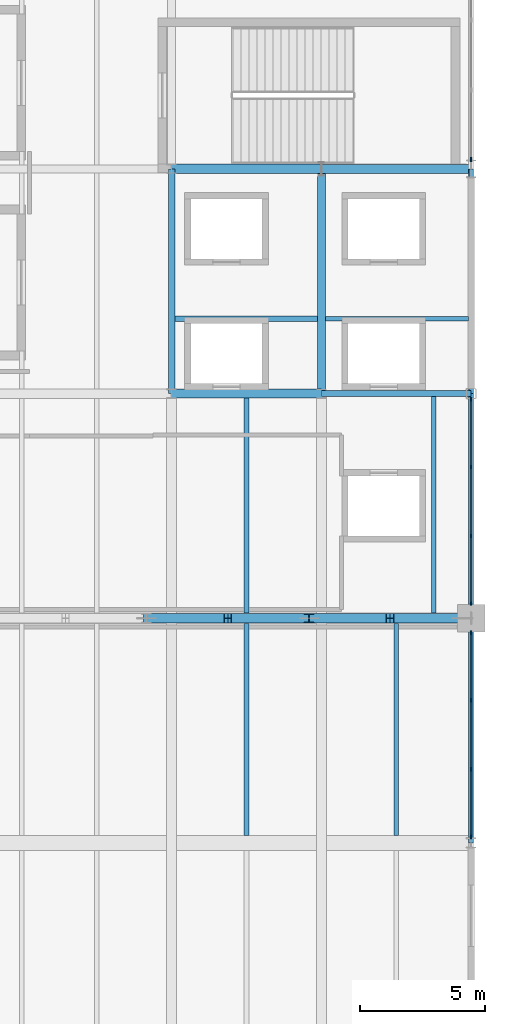
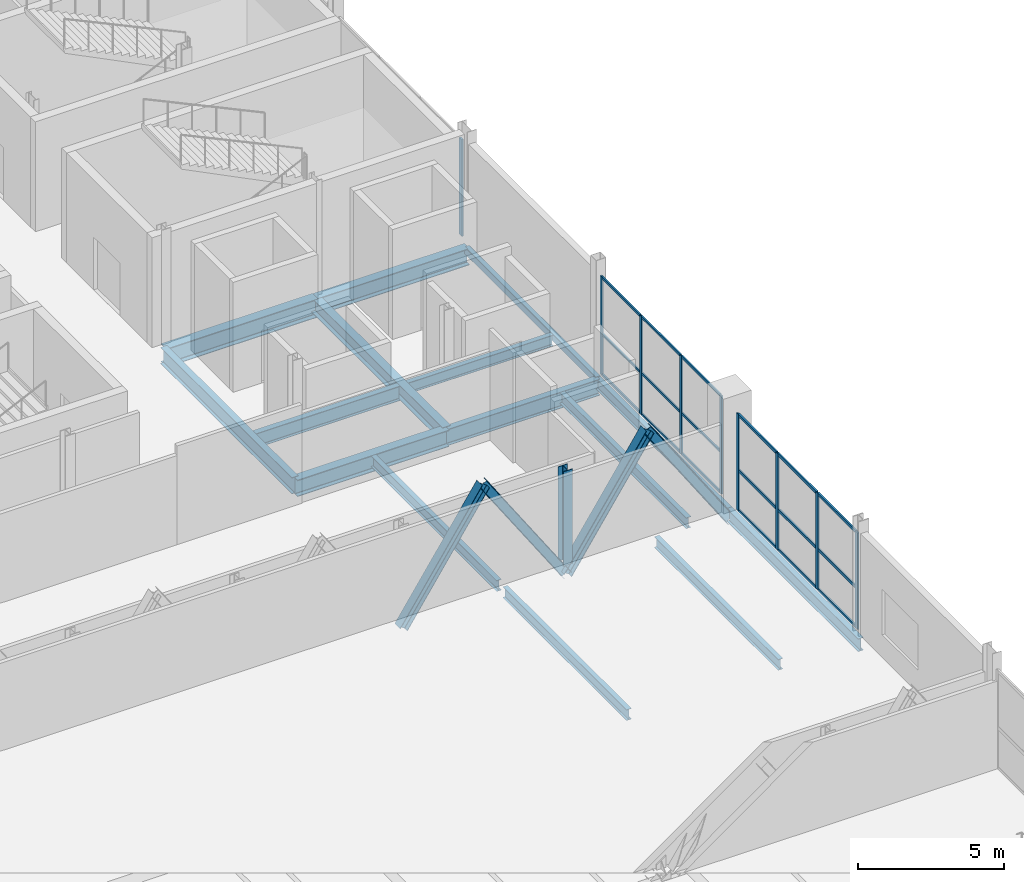
# One storey, part 141 of 224: 32 members, 15 beams, 3 elements without a shape of their own.
"""IFC4 building model written with IfcOpenShell, lengths in metres."""

from ifc_helpers import new_model, si_unit, direction, frame, origin, origin_2d, place, context, subcontext, project, spatial, rectangle, hollow_rectangle, i_section, extrude, material, layer, layer_set, material_profile, profile_set, type_object, element, aggregate, save


model = new_model("IFC4")

# Units and contexts
model_context = context("Model", 3, precision=1e-05, world=origin(), true_north=direction((0.0, 1.0)))
body_context = subcontext(model_context, "Body", "Model", "MODEL_VIEW")
ifc_project = project(units=[si_unit("LENGTHUNIT", "METRE"), si_unit("AREAUNIT", "SQUARE_METRE"), si_unit("VOLUMEUNIT", "CUBIC_METRE"), si_unit("PLANEANGLEUNIT", "RADIAN"), si_unit("MASSUNIT", "GRAM", prefix="KILO")], contexts=[model_context])

# Site, building, storey
site_placement = place(None, origin())
site = spatial("IfcSite", under=ifc_project, at=site_placement, CompositionType="ELEMENT")
building_placement = place(site_placement, origin())
building = spatial("IfcBuilding", under=site, at=building_placement, Name="Qamarlyn Nura Convention Centre", CompositionType="ELEMENT")
storey_placement = place(building_placement, frame((0.0, 0.0, 10.800048828125)))
storey = spatial("IfcBuildingStorey", under=building, at=storey_placement, Name="L02", CompositionType="ELEMENT", Elevation=10.800048828125)

# Beams
ifc_material_1 = material(Name="Steel ASTM A992", Category="steel")
ifc_material_profile_1 = material_profile(ifc_material_1, i_section(OverallWidth=0.323974609375, OverallDepth=0.611083984375, WebThickness=0.0126953125, FlangeThickness=0.01904296875, FilletRadius=0.01611328125, at=origin_2d()), Name="W610X155")
ifc_profile_set_1 = profile_set([ifc_material_profile_1], Name="Steel ASTM A992")
beam_type_1 = type_object("IfcBeamType", Name="BM-GIRD-610", PredefinedType="BEAM", material=ifc_profile_set_1)
beam_1_placement = place(storey_placement, frame((186.0, 54.0, -0.525634765625), z_axis=(0.0, 1.0, 0.0), x_axis=(-1.0, 0.0, 0.0)))
element("IfcBeam", 1, at=beam_1_placement, inside=storey, type_object=beam_type_1, Name="L02 girder 17 G-H", PredefinedType="BEAM", context=body_context, shape_type="SweptSolid", body=[
    extrude(i_section(OverallWidth=0.323974609375, OverallDepth=0.611083984375, WebThickness=0.0126953125, FlangeThickness=0.01904296875, FilletRadius=0.01611328125, at=origin_2d()), origin(), (0.0, 0.0, 1.0), 9.0),
])
ifc_material_profile_2 = material_profile(ifc_material_1, i_section(OverallWidth=0.35498046875, OverallDepth=0.695068359375, WebThickness=0.015380859375, FlangeThickness=0.02490234375, FilletRadius=0.01806640625, at=origin_2d()), Name="W690X217")
ifc_profile_set_2 = profile_set([ifc_material_profile_2], Name="Steel ASTM A992")
beam_type_2 = type_object("IfcBeamType", Name="BM-GIRD-690A", PredefinedType="BEAM", material=ifc_profile_set_2)
for number, where, z_axis, x_axis, name in (
    (2, (180.0, 54.0, -0.607666015625), (1.0, 0.0, 0.0), (0.0, 1.0, 0.0), "L02 girder G 16-17"),
    (3, (186.0, 63.0, -0.567626953125), (1.0, 0.0, 0.0), (0.0, 1.0, 0.0), "L02 girder H 17-18"),
):
    element("IfcBeam", number, at=place(storey_placement, frame(where, z_axis=z_axis, x_axis=x_axis)), inside=storey, type_object=beam_type_2, Name=name, PredefinedType="BEAM", context=body_context, shape_type="SweptSolid", body=[
        extrude(i_section(OverallWidth=0.35498046875, OverallDepth=0.695068359375, WebThickness=0.015380859375, FlangeThickness=0.02490234375, FilletRadius=0.01806640625, at=origin_2d()), origin(), (0.0, 0.0, 1.0), 6.0),
    ])
ifc_material_profile_3 = material_profile(ifc_material_1, i_section(OverallWidth=0.25390625, OverallDepth=0.68408203125, WebThickness=0.012451171875, FlangeThickness=0.01904296875, FilletRadius=0.01806640625, at=origin_2d()), Name="W690X140")
ifc_profile_set_3 = profile_set([ifc_material_profile_3], Name="Steel ASTM A992")
beam_type_3 = type_object("IfcBeamType", Name="BM-GIRD-690B", PredefinedType="BEAM", material=ifc_profile_set_3)
beam_2_placement = place(storey_placement, frame((186.0, 54.0, -0.60205078125), z_axis=(1.0, 0.0, 0.0), x_axis=(0.0, 1.0, 0.0)))
element("IfcBeam", 4, at=beam_2_placement, inside=storey, type_object=beam_type_3, Name="L02 girder G 17-18", PredefinedType="BEAM", context=body_context, shape_type="SweptSolid", body=[
    extrude(i_section(OverallWidth=0.25390625, OverallDepth=0.68408203125, WebThickness=0.012451171875, FlangeThickness=0.01904296875, FilletRadius=0.01806640625, at=origin_2d()), origin(), (0.0, 0.0, 1.0), 6.0),
])
beam_3_placement = place(storey_placement, frame((180.0, 54.0, -0.56201171875), z_axis=(0.0, 1.0, 0.0), x_axis=(-1.0, 0.0, 0.0)))
element("IfcBeam", 5, at=beam_3_placement, inside=storey, type_object=beam_type_3, Name="L02 girder 16 G-H", PredefinedType="BEAM", context=body_context, shape_type="SweptSolid", body=[
    extrude(i_section(OverallWidth=0.25390625, OverallDepth=0.68408203125, WebThickness=0.012451171875, FlangeThickness=0.01904296875, FilletRadius=0.01806640625, at=origin_2d()), origin(), (0.0, 0.0, 1.0), 9.0),
])
ifc_material_profile_4 = material_profile(ifc_material_1, i_section(OverallWidth=0.381103515625, OverallDepth=0.77294921875, WebThickness=0.0166015625, FlangeThickness=0.027587890625, FilletRadius=0.02001953125, at=origin_2d()), Name="W760X257")
ifc_profile_set_4 = profile_set([ifc_material_profile_4], Name="Steel ASTM A992")
beam_type_4 = type_object("IfcBeamType", Name="BM-GIRD-760", PredefinedType="BEAM", material=ifc_profile_set_4)
beam_4_placement = place(storey_placement, frame((180.0, 63.0, -0.6064453125), z_axis=(1.0, 0.0, 0.0), x_axis=(0.0, 1.0, 0.0)))
element("IfcBeam", 6, at=beam_4_placement, inside=storey, type_object=beam_type_4, Name="L02 girder H 16-17", PredefinedType="BEAM", context=body_context, shape_type="SweptSolid", body=[
    extrude(i_section(OverallWidth=0.381103515625, OverallDepth=0.77294921875, WebThickness=0.0166015625, FlangeThickness=0.027587890625, FilletRadius=0.02001953125, at=origin_2d()), origin(), (0.0, 0.0, 1.0), 6.0),
])
ifc_material_profile_5 = material_profile(ifc_material_1, i_section(OverallWidth=0.18994140625, OverallDepth=0.45703125, WebThickness=0.009033203125, FlangeThickness=0.014404296875, FilletRadius=0.012939453125, at=origin_2d()), Name="W460X74")
ifc_profile_set_5 = profile_set([ifc_material_profile_5], Name="Steel ASTM A992")
beam_type_5 = type_object("IfcBeamType", Name="BM-JOIST-460", PredefinedType="JOIST", material=ifc_profile_set_5)
beam_5_placement = place(storey_placement, frame((186.162109375, 57.0, -0.448486328125), z_axis=(1.0, 0.0, 0.0), x_axis=(0.0, 1.0, 0.0)))
element("IfcBeam", 7, at=beam_5_placement, inside=storey, type_object=beam_type_5, Name="L02 composite joist 17-18/G+1", PredefinedType="JOIST", context=body_context, shape_type="SweptSolid", body=[
    extrude(i_section(OverallWidth=0.18994140625, OverallDepth=0.45703125, WebThickness=0.009033203125, FlangeThickness=0.014404296875, FilletRadius=0.012939453125, at=origin_2d()), origin(), (0.0, 0.0, 1.0), 5.73779296875),
])
beam_6_placement = place(storey_placement, frame((183.0, 36.300048828125, -0.488525390625), z_axis=(0.0, 1.0, 0.0), x_axis=(-1.0, 0.0, 0.0)))
element("IfcBeam", 8, at=beam_6_placement, inside=storey, type_object=beam_type_5, Name="L02 secondary joist 16-17/E-F-35", PredefinedType="JOIST", context=body_context, shape_type="SweptSolid", body=[
    extrude(i_section(OverallWidth=0.18994140625, OverallDepth=0.45703125, WebThickness=0.009033203125, FlangeThickness=0.014404296875, FilletRadius=0.012939453125, at=origin_2d()), origin(), (0.0, 0.0, 1.0), 8.490966796875),
])
beam_7_placement = place(storey_placement, frame((183.0, 45.208984375, -0.488525390625), z_axis=(0.0, 1.0, 0.0), x_axis=(-1.0, 0.0, 0.0)))
element("IfcBeam", 9, at=beam_7_placement, inside=storey, type_object=beam_type_5, Name="L02 secondary joist 16-17/F-G-36", PredefinedType="JOIST", context=body_context, shape_type="SweptSolid", body=[
    extrude(i_section(OverallWidth=0.18994140625, OverallDepth=0.45703125, WebThickness=0.009033203125, FlangeThickness=0.014404296875, FilletRadius=0.012939453125, at=origin_2d()), origin(), (0.0, 0.0, 1.0), 8.613525390625),
])
beam_8_placement = place(storey_placement, frame((189.0, 36.300048828125, -0.488525390625), z_axis=(0.0, 1.0, 0.0), x_axis=(-1.0, 0.0, 0.0)))
element("IfcBeam", 10, at=beam_8_placement, inside=storey, type_object=beam_type_5, Name="L02 secondary joist 17-18/E-F-39", PredefinedType="JOIST", context=body_context, shape_type="SweptSolid", body=[
    extrude(i_section(OverallWidth=0.18994140625, OverallDepth=0.45703125, WebThickness=0.009033203125, FlangeThickness=0.014404296875, FilletRadius=0.012939453125, at=origin_2d()), origin(), (0.0, 0.0, 1.0), 8.490966796875),
])
beam_9_placement = place(storey_placement, frame((190.5, 45.208984375, -0.488525390625), z_axis=(0.0, 1.0, 0.0), x_axis=(-1.0, 0.0, 0.0)))
element("IfcBeam", 11, at=beam_9_placement, inside=storey, type_object=beam_type_5, Name="L02 secondary joist 17-18/F-G-40", PredefinedType="JOIST", context=body_context, shape_type="SweptSolid", body=[
    extrude(i_section(OverallWidth=0.18994140625, OverallDepth=0.45703125, WebThickness=0.009033203125, FlangeThickness=0.014404296875, FilletRadius=0.012939453125, at=origin_2d()), origin(), (0.0, 0.0, 1.0), 8.6640625),
])
ifc_material_profile_6 = material_profile(ifc_material_1, i_section(OverallWidth=0.22802734375, OverallDepth=0.60791015625, WebThickness=0.01123046875, FlangeThickness=0.017333984375, FilletRadius=0.01611328125, at=origin_2d()), Name="W610X113")
ifc_profile_set_6 = profile_set([ifc_material_profile_6], Name="Steel ASTM A992")
beam_type_6 = type_object("IfcBeamType", Name="BM-JOIST-610", PredefinedType="JOIST", material=ifc_profile_set_6)
beam_10_placement = place(storey_placement, frame((180.126953125, 57.0, -0.524169921875), z_axis=(1.0, 0.0, 0.0), x_axis=(0.0, 1.0, 0.0)))
element("IfcBeam", 12, at=beam_10_placement, inside=storey, type_object=beam_type_6, Name="L02 composite joist 16-17/G+1", PredefinedType="JOIST", context=body_context, shape_type="SweptSolid", body=[
    extrude(i_section(OverallWidth=0.22802734375, OverallDepth=0.60791015625, WebThickness=0.01123046875, FlangeThickness=0.017333984375, FilletRadius=0.01611328125, at=origin_2d()), origin(), (0.0, 0.0, 1.0), 5.7109375),
])
ifc_material_profile_7 = material_profile(ifc_material_1, i_section(OverallWidth=0.193115234375, OverallDepth=0.466064453125, WebThickness=0.011474609375, FlangeThickness=0.01904296875, FilletRadius=0.012939453125, at=origin_2d()), Name="W460X97")
ifc_profile_set_7 = profile_set([ifc_material_profile_7], Name="Steel ASTM A992")
beam_type_7 = type_object("IfcBeamType", Name="BM-SPAN-460", PredefinedType="SPANDREL", material=ifc_profile_set_7)
beam_11_placement = place(storey_placement, frame((192.0, 45.0, -0.4931640625), z_axis=(0.0, 1.0, 0.0), x_axis=(-1.0, 0.0, 0.0)))
element("IfcBeam", 13, at=beam_11_placement, inside=storey, type_object=beam_type_7, Name="L02 girder 18 F-G", PredefinedType="SPANDREL", context=body_context, shape_type="SweptSolid", body=[
    extrude(i_section(OverallWidth=0.193115234375, OverallDepth=0.466064453125, WebThickness=0.011474609375, FlangeThickness=0.01904296875, FilletRadius=0.012939453125, at=origin_2d()), origin(), (0.0, 0.0, 1.0), 9.0),
])
ifc_material_profile_8 = material_profile(ifc_material_1, i_section(OverallWidth=0.2109375, OverallDepth=0.5390625, WebThickness=0.01171875, FlangeThickness=0.018798828125, FilletRadius=0.013916015625, at=origin_2d()), Name="W530X109")
ifc_profile_set_8 = profile_set([ifc_material_profile_8], Name="Steel ASTM A992")
beam_type_8 = type_object("IfcBeamType", Name="BM-SPAN-530", PredefinedType="SPANDREL", material=ifc_profile_set_8)
beam_12_placement = place(storey_placement, frame((192.0, 36.0, -0.529541015625), z_axis=(0.0, 1.0, 0.0), x_axis=(-1.0, 0.0, 0.0)))
element("IfcBeam", 14, at=beam_12_placement, inside=storey, type_object=beam_type_8, Name="L02 girder 18 E-F", PredefinedType="SPANDREL", context=body_context, shape_type="SweptSolid", body=[
    extrude(i_section(OverallWidth=0.2109375, OverallDepth=0.5390625, WebThickness=0.01171875, FlangeThickness=0.018798828125, FilletRadius=0.013916015625, at=origin_2d()), origin(), (0.0, 0.0, 1.0), 9.0),
])
ifc_material_2 = material(Name="Steel ASTM A500 Grade C", Category="steel")
ifc_material_profile_9 = material_profile(ifc_material_2, hollow_rectangle(XDim=0.199951171875, YDim=0.300048828125, WallThickness=0.012451171875, InnerFilletRadius=0.012451171875, OuterFilletRadius=0.02490234375, at=origin_2d()), Name="HSS300X200X12.5")
ifc_profile_set_9 = profile_set([ifc_material_profile_9], Name="Steel ASTM A500 Grade C")
beam_type_9 = type_object("IfcBeamType", Name="BM-SPAN-HSS", PredefinedType="SPANDREL", material=ifc_profile_set_9)
beam_13_placement = place(storey_placement, frame((192.0, 54.0, -0.3701171875), z_axis=(0.0, 1.0, 0.0), x_axis=(-1.0, 0.0, 0.0)))
element("IfcBeam", 15, at=beam_13_placement, inside=storey, type_object=beam_type_9, Name="L02 girder 18 G-H", PredefinedType="SPANDREL", context=body_context, shape_type="SweptSolid", body=[
    extrude(hollow_rectangle(XDim=0.199951171875, YDim=0.300048828125, WallThickness=0.012451171875, InnerFilletRadius=0.012451171875, OuterFilletRadius=0.02490234375, at=origin_2d()), origin(), (0.0, 0.0, 1.0), 9.0),
])

# Curtain wall, members
ifc_material_3 = material(Name="Double-silver low-E insulated glass", Category="glass")
ifc_layer_1 = layer(ifc_material_3, 0.179931640625, Name="CW-UNIT-94")
ifc_layer_set_1 = layer_set([ifc_layer_1], Name="Double-silver low-E insulated glass")
curtain_wall_type_1 = type_object("IfcCurtainWallType", Name="CW-UNIT-94", PredefinedType="NOTDEFINED", material=ifc_layer_set_1)
curtain_wall_1_placement = place(storey_placement, origin())
curtain_wall_1 = element("IfcCurtainWall", 16, at=curtain_wall_1_placement, inside=storey, type_object=curtain_wall_type_1, Name="L02 unitised curtain wall EAST-6-1", PredefinedType="NOTDEFINED")
ifc_material_4 = material(Name="Champagne-anodised marine aluminium", Category="aluminium")
ifc_material_profile_10 = material_profile(ifc_material_4, rectangle(XDim=0.06005859375, YDim=0.139892578125, at=origin_2d()), Name="ALU MULLION 60x140")
ifc_profile_set_10 = profile_set([ifc_material_profile_10], Name="Champagne-anodised marine aluminium")
member_type_1 = type_object("IfcMemberType", Name="CWM-140", PredefinedType="MULLION", material=ifc_profile_set_10)
member_1_placement = place(storey_placement, frame((192.0, 53.77001953125, 0.0), z_axis=(0.0, 0.0, 1.0), x_axis=(1.0, 0.0, 0.0)))
member_1 = element("IfcMember", 17, at=member_1_placement, type_object=member_type_1, Name="CW94 mullion 1", PredefinedType="MULLION", context=body_context, shape_type="SweptSolid", body=[
    extrude(rectangle(XDim=0.06005859375, YDim=0.139892578125, at=origin_2d()), origin(), (0.0, 0.0, 1.0), 4.118896484375),
])
member_2_placement = place(storey_placement, frame((192.0, 51.050048828125, 0.0), z_axis=(0.0, 0.0, 1.0), x_axis=(1.0, 0.0, 0.0)))
member_2 = element("IfcMember", 18, at=member_2_placement, type_object=member_type_1, Name="CW94 mullion 2", PredefinedType="MULLION", context=body_context, shape_type="SweptSolid", body=[
    extrude(rectangle(XDim=0.06005859375, YDim=0.139892578125, at=origin_2d()), origin(), (0.0, 0.0, 1.0), 4.118896484375),
])
member_3_placement = place(storey_placement, frame((192.0, 48.300048828125, 0.0), z_axis=(0.0, 0.0, 1.0), x_axis=(1.0, 0.0, 0.0)))
member_3 = element("IfcMember", 19, at=member_3_placement, type_object=member_type_1, Name="CW94 mullion 3", PredefinedType="MULLION", context=body_context, shape_type="SweptSolid", body=[
    extrude(rectangle(XDim=0.06005859375, YDim=0.139892578125, at=origin_2d()), origin(), (0.0, 0.0, 1.0), 4.118896484375),
])
member_4_placement = place(storey_placement, frame((192.0, 45.580078125, 0.0), z_axis=(0.0, 0.0, 1.0), x_axis=(1.0, 0.0, 0.0)))
member_4 = element("IfcMember", 20, at=member_4_placement, type_object=member_type_1, Name="CW94 mullion 4", PredefinedType="MULLION", context=body_context, shape_type="SweptSolid", body=[
    extrude(rectangle(XDim=0.06005859375, YDim=0.139892578125, at=origin_2d()), origin(), (0.0, 0.0, 1.0), 4.118896484375),
])

ifc_layer_2 = layer(ifc_material_3, 0.179931640625, Name="CW-UNIT-92")
ifc_layer_set_2 = layer_set([ifc_layer_2], Name="Double-silver low-E insulated glass")
curtain_wall_type_2 = type_object("IfcCurtainWallType", Name="CW-UNIT-92", PredefinedType="NOTDEFINED", material=ifc_layer_set_2)
curtain_wall_2_placement = place(storey_placement, origin())
curtain_wall_2 = element("IfcCurtainWall", 21, at=curtain_wall_2_placement, inside=storey, type_object=curtain_wall_type_2, Name="L02 unitised curtain wall EAST-5-1", PredefinedType="NOTDEFINED")
ifc_material_profile_11 = material_profile(ifc_material_4, rectangle(XDim=0.06494140625, YDim=0.159912109375, at=origin_2d()), Name="ALU MULLION 65x160")
ifc_profile_set_11 = profile_set([ifc_material_profile_11], Name="Champagne-anodised marine aluminium")
member_type_2 = type_object("IfcMemberType", Name="CWM-160", PredefinedType="MULLION", material=ifc_profile_set_11)
member_5_placement = place(storey_placement, frame((192.0, 44.41748046875, 0.0), z_axis=(0.0, 0.0, 1.0), x_axis=(1.0, 0.0, 0.0)))
member_5 = element("IfcMember", 22, at=member_5_placement, type_object=member_type_2, Name="CW92 mullion 1", PredefinedType="MULLION", context=body_context, shape_type="SweptSolid", body=[
    extrude(rectangle(XDim=0.06494140625, YDim=0.159912109375, at=origin_2d()), origin(), (0.0, 0.0, 1.0), 4.0458984375),
])
member_6_placement = place(storey_placement, frame((192.0, 41.7041015625, 0.0), z_axis=(0.0, 0.0, 1.0), x_axis=(1.0, 0.0, 0.0)))
member_6 = element("IfcMember", 23, at=member_6_placement, type_object=member_type_2, Name="CW92 mullion 2", PredefinedType="MULLION", context=body_context, shape_type="SweptSolid", body=[
    extrude(rectangle(XDim=0.06494140625, YDim=0.159912109375, at=origin_2d()), origin(), (0.0, 0.0, 1.0), 4.0458984375),
])
member_7_placement = place(storey_placement, frame((192.0, 38.958251953125, 0.0), z_axis=(0.0, 0.0, 1.0), x_axis=(1.0, 0.0, 0.0)))
member_7 = element("IfcMember", 24, at=member_7_placement, type_object=member_type_2, Name="CW92 mullion 3", PredefinedType="MULLION", context=body_context, shape_type="SweptSolid", body=[
    extrude(rectangle(XDim=0.06494140625, YDim=0.159912109375, at=origin_2d()), origin(), (0.0, 0.0, 1.0), 4.0458984375),
])
member_8_placement = place(storey_placement, frame((192.0, 36.2451171875, 0.0), z_axis=(0.0, 0.0, 1.0), x_axis=(1.0, 0.0, 0.0)))
member_8 = element("IfcMember", 25, at=member_8_placement, type_object=member_type_2, Name="CW92 mullion 4", PredefinedType="MULLION", context=body_context, shape_type="SweptSolid", body=[
    extrude(rectangle(XDim=0.06494140625, YDim=0.159912109375, at=origin_2d()), origin(), (0.0, 0.0, 1.0), 4.0458984375),
])

# Curtain wall, member
ifc_layer_3 = layer(ifc_material_3, 0.179931640625, Name="CW-UNIT-95")
ifc_layer_set_3 = layer_set([ifc_layer_3], Name="Double-silver low-E insulated glass")
curtain_wall_type_3 = type_object("IfcCurtainWallType", Name="CW-UNIT-95", PredefinedType="NOTDEFINED", material=ifc_layer_set_3)
curtain_wall_3_placement = place(storey_placement, origin())
curtain_wall_3 = element("IfcCurtainWall", 26, at=curtain_wall_3_placement, inside=storey, type_object=curtain_wall_type_3, Name="L02 unitised curtain wall EAST-8-1", PredefinedType="NOTDEFINED")
ifc_material_profile_12 = material_profile(ifc_material_4, rectangle(XDim=0.070068359375, YDim=0.179931640625, at=origin_2d()), Name="ALU MULLION 70x180")
ifc_profile_set_12 = profile_set([ifc_material_profile_12], Name="Champagne-anodised marine aluminium")
member_type_3 = type_object("IfcMemberType", Name="CWM-180", PredefinedType="MULLION", material=ifc_profile_set_12)
member_9_placement = place(storey_placement, frame((192.0, 63.382568359375, 0.0), z_axis=(0.0, 0.0, 1.0), x_axis=(1.0, 0.0, 0.0)))
member_9 = element("IfcMember", 27, at=member_9_placement, type_object=member_type_3, Name="CW95 mullion 4", PredefinedType="MULLION", context=body_context, shape_type="SweptSolid", body=[
    extrude(rectangle(XDim=0.070068359375, YDim=0.179931640625, at=origin_2d()), origin(), (0.0, 0.0, 1.0), 4.0458984375),
])
aggregate(curtain_wall_3, [member_9])

# Member
ifc_material_profile_13 = material_profile(ifc_material_4, rectangle(XDim=0.06005859375, YDim=0.10009765625, at=origin_2d()), Name="ALU TRANSOM 60x100")
ifc_profile_set_13 = profile_set([ifc_material_profile_13], Name="Champagne-anodised marine aluminium")
member_type_4 = type_object("IfcMemberType", Name="CWT-100", PredefinedType="USERDEFINED", material=ifc_profile_set_13)
member_10_placement = place(storey_placement, frame((192.0, 53.739990234375, 0.030029296875), z_axis=(0.0, -1.0, 0.0), x_axis=(1.0, 0.0, 0.0)))
member_10 = element("IfcMember", 28, at=member_10_placement, type_object=member_type_4, Name="CW94 transom 1.1", ObjectType="TRANSOM", PredefinedType="USERDEFINED", context=body_context, shape_type="SweptSolid", body=[
    extrude(rectangle(XDim=0.06005859375, YDim=0.10009765625, at=origin_2d()), origin(), (0.0, 0.0, 1.0), 2.659912109375),
])

member_11_placement = place(storey_placement, frame((192.0, 53.739990234375, 1.72998046875), z_axis=(0.0, -1.0, 0.0), x_axis=(1.0, 0.0, 0.0)))
member_11 = element("IfcMember", 29, at=member_11_placement, type_object=member_type_4, Name="CW94 transom 1.2", ObjectType="TRANSOM", PredefinedType="USERDEFINED", context=body_context, shape_type="SweptSolid", body=[
    extrude(rectangle(XDim=0.06005859375, YDim=0.10009765625, at=origin_2d()), origin(), (0.0, 0.0, 1.0), 2.659912109375),
])

member_12_placement = place(storey_placement, frame((192.0, 53.739990234375, 4.0888671875), z_axis=(0.0, -1.0, 0.0), x_axis=(1.0, 0.0, 0.0)))
member_12 = element("IfcMember", 30, at=member_12_placement, type_object=member_type_4, Name="CW94 transom 1.3", ObjectType="TRANSOM", PredefinedType="USERDEFINED", context=body_context, shape_type="SweptSolid", body=[
    extrude(rectangle(XDim=0.06005859375, YDim=0.10009765625, at=origin_2d()), origin(), (0.0, 0.0, 1.0), 2.659912109375),
])

member_13_placement = place(storey_placement, frame((192.0, 51.02001953125, 0.030029296875), z_axis=(0.0, -1.0, 0.0), x_axis=(1.0, 0.0, 0.0)))
member_13 = element("IfcMember", 31, at=member_13_placement, type_object=member_type_4, Name="CW94 transom 2.1", ObjectType="TRANSOM", PredefinedType="USERDEFINED", context=body_context, shape_type="SweptSolid", body=[
    extrude(rectangle(XDim=0.06005859375, YDim=0.10009765625, at=origin_2d()), origin(), (0.0, 0.0, 1.0), 2.68994140625),
])

member_14_placement = place(storey_placement, frame((192.0, 51.02001953125, 1.72998046875), z_axis=(0.0, -1.0, 0.0), x_axis=(1.0, 0.0, 0.0)))
member_14 = element("IfcMember", 32, at=member_14_placement, type_object=member_type_4, Name="CW94 transom 2.2", ObjectType="TRANSOM", PredefinedType="USERDEFINED", context=body_context, shape_type="SweptSolid", body=[
    extrude(rectangle(XDim=0.06005859375, YDim=0.10009765625, at=origin_2d()), origin(), (0.0, 0.0, 1.0), 2.68994140625),
])

member_15_placement = place(storey_placement, frame((192.0, 51.02001953125, 4.0888671875), z_axis=(0.0, -1.0, 0.0), x_axis=(1.0, 0.0, 0.0)))
member_15 = element("IfcMember", 33, at=member_15_placement, type_object=member_type_4, Name="CW94 transom 2.3", ObjectType="TRANSOM", PredefinedType="USERDEFINED", context=body_context, shape_type="SweptSolid", body=[
    extrude(rectangle(XDim=0.06005859375, YDim=0.10009765625, at=origin_2d()), origin(), (0.0, 0.0, 1.0), 2.68994140625),
])

member_16_placement = place(storey_placement, frame((192.0, 48.27001953125, 0.030029296875), z_axis=(0.0, -1.0, 0.0), x_axis=(1.0, 0.0, 0.0)))
member_16 = element("IfcMember", 34, at=member_16_placement, type_object=member_type_4, Name="CW94 transom 3.1", ObjectType="TRANSOM", PredefinedType="USERDEFINED", context=body_context, shape_type="SweptSolid", body=[
    extrude(rectangle(XDim=0.06005859375, YDim=0.10009765625, at=origin_2d()), origin(), (0.0, 0.0, 1.0), 2.659912109375),
])

member_17_placement = place(storey_placement, frame((192.0, 48.27001953125, 1.72998046875), z_axis=(0.0, -1.0, 0.0), x_axis=(1.0, 0.0, 0.0)))
member_17 = element("IfcMember", 35, at=member_17_placement, type_object=member_type_4, Name="CW94 transom 3.2", ObjectType="TRANSOM", PredefinedType="USERDEFINED", context=body_context, shape_type="SweptSolid", body=[
    extrude(rectangle(XDim=0.06005859375, YDim=0.10009765625, at=origin_2d()), origin(), (0.0, 0.0, 1.0), 2.659912109375),
])

member_18_placement = place(storey_placement, frame((192.0, 48.27001953125, 4.0888671875), z_axis=(0.0, -1.0, 0.0), x_axis=(1.0, 0.0, 0.0)))
member_18 = element("IfcMember", 36, at=member_18_placement, type_object=member_type_4, Name="CW94 transom 3.3", ObjectType="TRANSOM", PredefinedType="USERDEFINED", context=body_context, shape_type="SweptSolid", body=[
    extrude(rectangle(XDim=0.06005859375, YDim=0.10009765625, at=origin_2d()), origin(), (0.0, 0.0, 1.0), 2.659912109375),
])

aggregate(curtain_wall_1, [member_1, member_2, member_3, member_4, member_10, member_11, member_12, member_13, member_14, member_15, member_16, member_17, member_18])

ifc_material_profile_14 = material_profile(ifc_material_4, rectangle(XDim=0.06494140625, YDim=0.1201171875, at=origin_2d()), Name="ALU TRANSOM 65x120")
ifc_profile_set_14 = profile_set([ifc_material_profile_14], Name="Champagne-anodised marine aluminium")
member_type_5 = type_object("IfcMemberType", Name="CWT-120", PredefinedType="USERDEFINED", material=ifc_profile_set_14)
member_19_placement = place(storey_placement, frame((192.0, 44.385009765625, 0.032470703125), z_axis=(0.0, -1.0, 0.0), x_axis=(1.0, 0.0, 0.0)))
member_19 = element("IfcMember", 37, at=member_19_placement, type_object=member_type_5, Name="CW92 transom 1.1", ObjectType="TRANSOM", PredefinedType="USERDEFINED", context=body_context, shape_type="SweptSolid", body=[
    extrude(rectangle(XDim=0.06494140625, YDim=0.1201171875, at=origin_2d()), origin(), (0.0, 0.0, 1.0), 2.6484375),
])

member_20_placement = place(storey_placement, frame((192.0, 44.385009765625, 1.698974609375), z_axis=(0.0, -1.0, 0.0), x_axis=(1.0, 0.0, 0.0)))
member_20 = element("IfcMember", 38, at=member_20_placement, type_object=member_type_5, Name="CW92 transom 1.2", ObjectType="TRANSOM", PredefinedType="USERDEFINED", context=body_context, shape_type="SweptSolid", body=[
    extrude(rectangle(XDim=0.06494140625, YDim=0.1201171875, at=origin_2d()), origin(), (0.0, 0.0, 1.0), 2.6484375),
])

member_21_placement = place(storey_placement, frame((192.0, 44.385009765625, 4.013427734375), z_axis=(0.0, -1.0, 0.0), x_axis=(1.0, 0.0, 0.0)))
member_21 = element("IfcMember", 39, at=member_21_placement, type_object=member_type_5, Name="CW92 transom 1.3", ObjectType="TRANSOM", PredefinedType="USERDEFINED", context=body_context, shape_type="SweptSolid", body=[
    extrude(rectangle(XDim=0.06494140625, YDim=0.1201171875, at=origin_2d()), origin(), (0.0, 0.0, 1.0), 2.6484375),
])

member_22_placement = place(storey_placement, frame((192.0, 41.671630859375, 0.032470703125), z_axis=(0.0, -1.0, 0.0), x_axis=(1.0, 0.0, 0.0)))
member_22 = element("IfcMember", 40, at=member_22_placement, type_object=member_type_5, Name="CW92 transom 2.1", ObjectType="TRANSOM", PredefinedType="USERDEFINED", context=body_context, shape_type="SweptSolid", body=[
    extrude(rectangle(XDim=0.06494140625, YDim=0.1201171875, at=origin_2d()), origin(), (0.0, 0.0, 1.0), 2.680908203125),
])

member_23_placement = place(storey_placement, frame((192.0, 41.671630859375, 1.698974609375), z_axis=(0.0, -1.0, 0.0), x_axis=(1.0, 0.0, 0.0)))
member_23 = element("IfcMember", 41, at=member_23_placement, type_object=member_type_5, Name="CW92 transom 2.2", ObjectType="TRANSOM", PredefinedType="USERDEFINED", context=body_context, shape_type="SweptSolid", body=[
    extrude(rectangle(XDim=0.06494140625, YDim=0.1201171875, at=origin_2d()), origin(), (0.0, 0.0, 1.0), 2.680908203125),
])

member_24_placement = place(storey_placement, frame((192.0, 41.671630859375, 4.013427734375), z_axis=(0.0, -1.0, 0.0), x_axis=(1.0, 0.0, 0.0)))
member_24 = element("IfcMember", 42, at=member_24_placement, type_object=member_type_5, Name="CW92 transom 2.3", ObjectType="TRANSOM", PredefinedType="USERDEFINED", context=body_context, shape_type="SweptSolid", body=[
    extrude(rectangle(XDim=0.06494140625, YDim=0.1201171875, at=origin_2d()), origin(), (0.0, 0.0, 1.0), 2.680908203125),
])

member_25_placement = place(storey_placement, frame((192.0, 38.92578125, 0.032470703125), z_axis=(0.0, -1.0, 0.0), x_axis=(1.0, 0.0, 0.0)))
member_25 = element("IfcMember", 43, at=member_25_placement, type_object=member_type_5, Name="CW92 transom 3.1", ObjectType="TRANSOM", PredefinedType="USERDEFINED", context=body_context, shape_type="SweptSolid", body=[
    extrude(rectangle(XDim=0.06494140625, YDim=0.1201171875, at=origin_2d()), origin(), (0.0, 0.0, 1.0), 2.648193359375),
])

member_26_placement = place(storey_placement, frame((192.0, 38.92578125, 1.698974609375), z_axis=(0.0, -1.0, 0.0), x_axis=(1.0, 0.0, 0.0)))
member_26 = element("IfcMember", 44, at=member_26_placement, type_object=member_type_5, Name="CW92 transom 3.2", ObjectType="TRANSOM", PredefinedType="USERDEFINED", context=body_context, shape_type="SweptSolid", body=[
    extrude(rectangle(XDim=0.06494140625, YDim=0.1201171875, at=origin_2d()), origin(), (0.0, 0.0, 1.0), 2.648193359375),
])

member_27_placement = place(storey_placement, frame((192.0, 38.92578125, 4.013427734375), z_axis=(0.0, -1.0, 0.0), x_axis=(1.0, 0.0, 0.0)))
member_27 = element("IfcMember", 45, at=member_27_placement, type_object=member_type_5, Name="CW92 transom 3.3", ObjectType="TRANSOM", PredefinedType="USERDEFINED", context=body_context, shape_type="SweptSolid", body=[
    extrude(rectangle(XDim=0.06494140625, YDim=0.1201171875, at=origin_2d()), origin(), (0.0, 0.0, 1.0), 2.648193359375),
])

aggregate(curtain_wall_2, [member_5, member_6, member_7, member_8, member_19, member_20, member_21, member_22, member_23, member_24, member_25, member_26, member_27])

# Members
ifc_material_profile_15 = material_profile(ifc_material_1, i_section(OverallWidth=0.3740234375, OverallDepth=0.3720703125, WebThickness=0.016357421875, FlangeThickness=0.026123046875, FilletRadius=0.01611328125, at=origin_2d()), Name="W360X196")
ifc_profile_set_15 = profile_set([ifc_material_profile_15], Name="Steel ASTM A992")
member_type_6 = type_object("IfcMemberType", Name="TT-DIAG-01", PredefinedType="BRACE", material=ifc_profile_set_15)
for number, where, z_axis, x_axis, name in (
    (46, (185.5, 45.0, -0.716064453125), (0.555875275564, 0.0, 0.831265708433), (0.0, 1.0, 0.0), "Warren transfer structure diagonal F-6A"),
    (47, (188.75, 45.0, 4.14404296875), (0.555875275564, 0.0, -0.831265708433), (0.0, 1.0, 0.0), "Warren transfer structure diagonal F-6B"),
):
    element("IfcMember", number, at=place(storey_placement, frame(where, z_axis=z_axis, x_axis=x_axis)), inside=storey, type_object=member_type_6, Name=name, PredefinedType="BRACE", context=body_context, shape_type="SweptSolid", body=[
        extrude(i_section(OverallWidth=0.3740234375, OverallDepth=0.3720703125, WebThickness=0.016357421875, FlangeThickness=0.026123046875, FilletRadius=0.01611328125, at=origin_2d()), origin(), (0.0, 0.0, 1.0), 5.8466796875),
    ])
ifc_material_profile_16 = material_profile(ifc_material_1, i_section(OverallWidth=0.368896484375, OverallDepth=0.35595703125, WebThickness=0.01123046875, FlangeThickness=0.01806640625, FilletRadius=0.014892578125, at=origin_2d()), Name="W360X134")
ifc_profile_set_16 = profile_set([ifc_material_profile_16], Name="Steel ASTM A992")
member_type_7 = type_object("IfcMemberType", Name="TT-DIAG-02", PredefinedType="BRACE", material=ifc_profile_set_16)
for number, where, z_axis, x_axis, name in (
    (48, (179.0, 45.0, -0.716064453125), (0.555875275564, 0.0, 0.831265708433), (0.0, 1.0, 0.0), "Warren transfer structure diagonal F-5A"),
    (49, (182.25, 45.0, 4.14404296875), (0.555875275564, 0.0, -0.831265708433), (0.0, 1.0, 0.0), "Warren transfer structure diagonal F-5B"),
):
    element("IfcMember", number, at=place(storey_placement, frame(where, z_axis=z_axis, x_axis=x_axis)), inside=storey, type_object=member_type_7, Name=name, PredefinedType="BRACE", context=body_context, shape_type="SweptSolid", body=[
        extrude(i_section(OverallWidth=0.368896484375, OverallDepth=0.35595703125, WebThickness=0.01123046875, FlangeThickness=0.01806640625, FilletRadius=0.014892578125, at=origin_2d()), origin(), (0.0, 0.0, 1.0), 5.8466796875),
    ])
ifc_material_profile_17 = material_profile(ifc_material_1, i_section(OverallWidth=0.3740234375, OverallDepth=0.3720703125, WebThickness=0.016357421875, FlangeThickness=0.026123046875, FilletRadius=0.01611328125, at=origin_2d()), Name="W360X196")
ifc_profile_set_17 = profile_set([ifc_material_profile_17], Name="Steel ASTM A992")
member_type_8 = type_object("IfcMemberType", Name="TT-VERT-01", PredefinedType="BRACE", material=ifc_profile_set_17)
member_28_placement = place(storey_placement, frame((185.5, 45.0, -0.260009765625), z_axis=(0.0, 0.0, 1.0), x_axis=(1.0, 0.0, 0.0)))
element("IfcMember", 50, at=member_28_placement, inside=storey, type_object=member_type_8, Name="Warren transfer truss vertical hanger F-5", PredefinedType="BRACE", context=body_context, shape_type="SweptSolid", body=[
    extrude(i_section(OverallWidth=0.3740234375, OverallDepth=0.3720703125, WebThickness=0.016357421875, FlangeThickness=0.026123046875, FilletRadius=0.01611328125, at=origin_2d()), origin(), (0.0, 0.0, 1.0), 3.947998046875),
])

save(model, "model.ifc")
